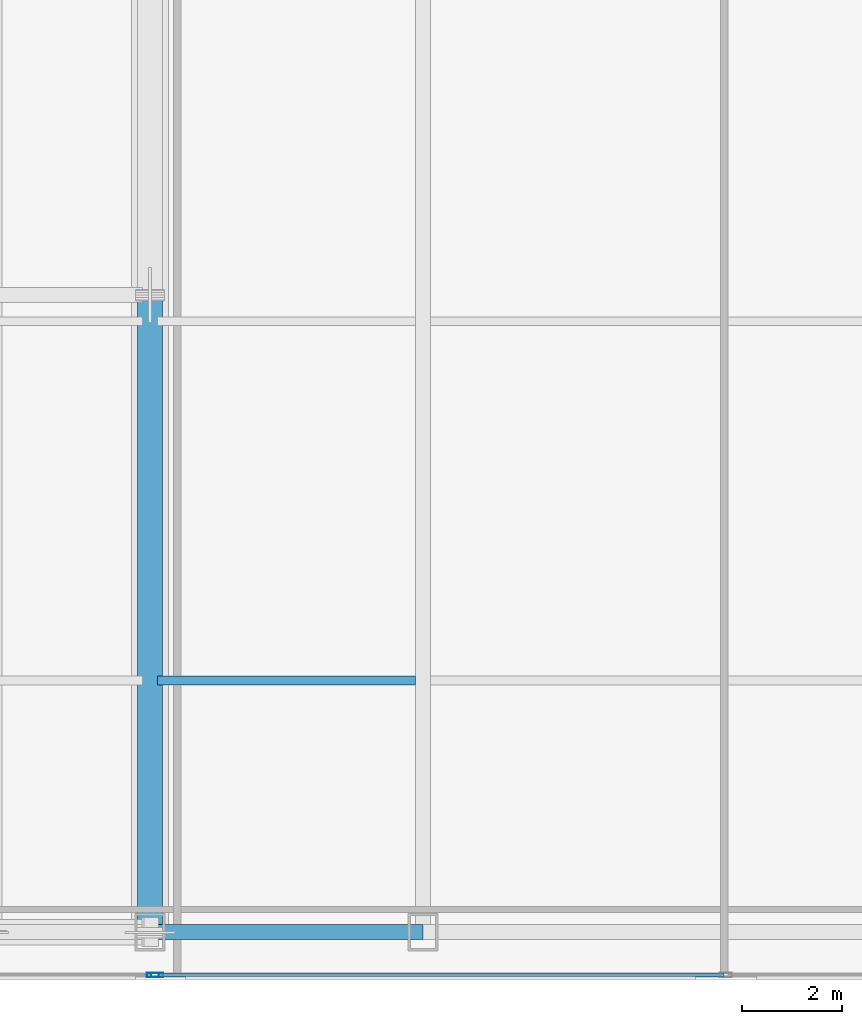
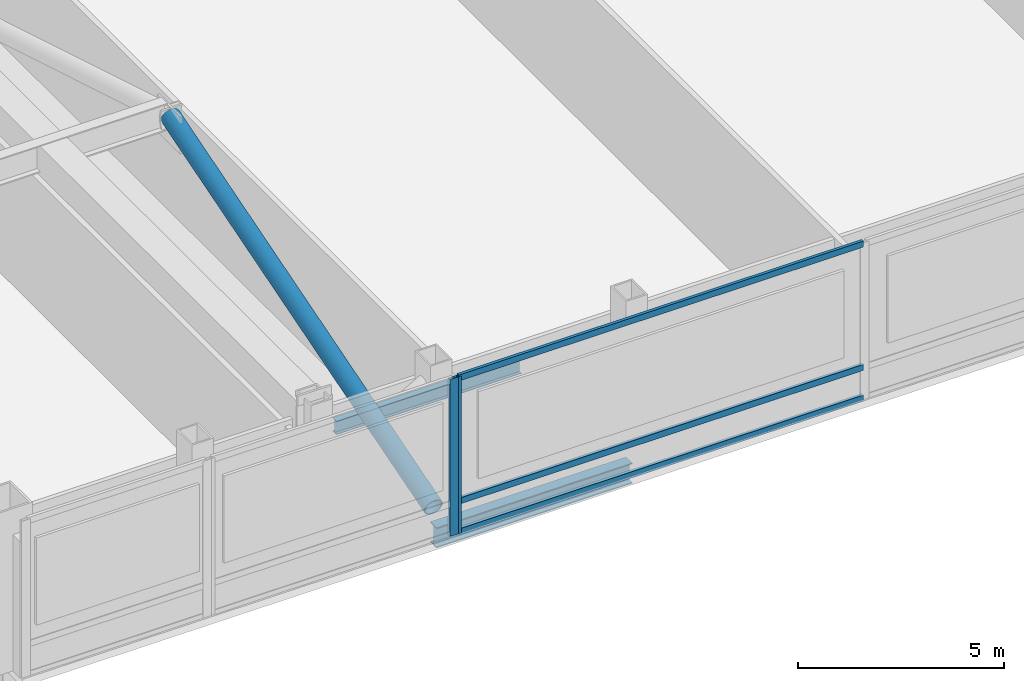
# One storey, part 9 of 32: 6 members, 2 beams, 2 elements without a shape of their own.
"""IFC4 building model written with IfcOpenShell, lengths in metres."""

import ifcopenshell
import ifcopenshell.guid

model = None  # the IFC model being written
_history = None  # IfcOwnerHistory: only IFC2X3 demands one
_inside = {}  # id of a spatial element -> (the spatial element, [elements in it])
_under = {}  # id of a project, library or spatial element -> (it, [spatial elements below it])
_declared = {}  # id of a project -> (the project, [libraries it declares])
_typed = {}  # id of a type object -> (the type object, [elements of that type])
_made_of = {}  # id of a material, layer set ... -> (it, [elements and type objects made of it])


def new_model(schema):
    """Start an empty IFC model of exactly this schema.

    Asked for "IFC4X3", IfcOpenShell would pick the latest addendum, in which some entities
    have other attributes; the version numbers below select the first issue.
    IFC2X3 requires an IfcOwnerHistory on every rooted entity: one is made here for all.
    """
    global model, _history
    if schema == "IFC4X3":
        model = ifcopenshell.file(schema_version=(4, 3, 0, 0))
    else:
        model = ifcopenshell.file(schema=schema)
    _inside.clear()
    _under.clear()
    _declared.clear()
    _typed.clear()
    _made_of.clear()
    _history = None
    if model.schema == "IFC2X3":
        org = make("IfcOrganization", Name="unknown")
        user = make(
            "IfcPersonAndOrganization",
            ThePerson=make("IfcPerson", FamilyName="unknown"),
            TheOrganization=org,
        )
        app = make(
            "IfcApplication",
            ApplicationDeveloper=org,
            Version="unknown",
            ApplicationFullName="unknown",
            ApplicationIdentifier="unknown",
        )
        _history = make(
            "IfcOwnerHistory",
            OwningUser=user,
            OwningApplication=app,
            ChangeAction="ADDED",
            CreationDate=0,
        )
    return model


def make(cls, **values):
    """One entity of the class cls with the attributes given. An attribute that is None is left unset."""
    return model.create_entity(
        cls, **{name: value for name, value in values.items() if value is not None}
    )


def rooted(cls, **values):
    """An entity with a GlobalId (a new one), such as an element, a storey or a relation."""
    return make(cls, GlobalId=ifcopenshell.guid.new(), OwnerHistory=_history, **values)


def si_unit(unit_type, name, prefix=None):
    """IfcSIUnit, for example si_unit("LENGTHUNIT", "METRE", prefix="MILLI")."""
    return make("IfcSIUnit", UnitType=unit_type, Prefix=prefix, Name=name)


def assignment(units):
    """IfcUnitAssignment: the units of a project."""
    return None if units is None else make("IfcUnitAssignment", Units=units)


def point(xyz):
    """IfcCartesianPoint."""
    return None if xyz is None else make("IfcCartesianPoint", Coordinates=xyz)


def direction(xyz):
    """IfcDirection."""
    return None if xyz is None else make("IfcDirection", DirectionRatios=xyz)


def frame(location, z_axis=None, x_axis=None):
    """IfcAxis2Placement3D, a coordinate frame: its origin and axes. An axis left out is left unset."""
    return make(
        "IfcAxis2Placement3D",
        Location=point(location),
        Axis=direction(z_axis),
        RefDirection=direction(x_axis),
    )


def frame_2d(location, x_axis=None):
    """IfcAxis2Placement2D, a coordinate frame in the plane: its origin and x axis."""
    return make(
        "IfcAxis2Placement2D", Location=point(location), RefDirection=direction(x_axis)
    )


def origin():
    """The frame at (0, 0, 0) with its axes left unset."""
    return frame((0.0, 0.0, 0.0))


def origin_2d():
    """The frame at (0, 0) in the plane with its x axis left unset."""
    return frame_2d((0.0, 0.0))


def place(relative_to, where):
    """IfcLocalPlacement: puts the frame where relative to a parent placement (None: the world)."""
    return make(
        "IfcLocalPlacement", PlacementRelTo=relative_to, RelativePlacement=where
    )


def context(
    kind, dimensions, precision=None, world=None, true_north=None, identifier=None
):
    """IfcGeometricRepresentationContext, for example the 3D "Model" context."""
    return make(
        "IfcGeometricRepresentationContext",
        ContextIdentifier=identifier,
        ContextType=kind,
        CoordinateSpaceDimension=dimensions,
        Precision=precision,
        WorldCoordinateSystem=world,
        TrueNorth=true_north,
    )


def subcontext(parent, identifier, kind, view, scale=None):
    """IfcGeometricRepresentationSubContext, for example "Body" below "Model"."""
    return make(
        "IfcGeometricRepresentationSubContext",
        ContextIdentifier=identifier,
        ContextType=kind,
        ParentContext=parent,
        TargetScale=scale,
        TargetView=view,
    )


def project(units=None, contexts=None):
    """IfcProject with its units and contexts."""
    return rooted(
        "IfcProject",
        Name="project",
        RepresentationContexts=contexts,
        UnitsInContext=assignment(units),
    )


def spatial(cls, under=None, at=None, **own):
    """A site, building, storey or space (cls), placed at a placement, below another one or the project."""
    s = rooted(cls, ObjectPlacement=at, **own)
    if under is not None:
        _under.setdefault(under.id(), (under, []))[1].append(s)
    return s


def profile(cls, at=None, kind="AREA", **sizes):
    """A parametric profile (cls). Its sizes go by their IFC names, for example OverallWidth=200.0."""
    return make(cls, ProfileType=kind, Position=at, **sizes)


def hollow_rectangle(**sizes):
    """IfcRectangleHollowProfileDef."""
    return profile("IfcRectangleHollowProfileDef", **sizes)


def hollow_circle(**sizes):
    """IfcCircleHollowProfileDef."""
    return profile("IfcCircleHollowProfileDef", **sizes)


def i_section(**sizes):
    """IfcIShapeProfileDef."""
    return profile("IfcIShapeProfileDef", **sizes)


def extrude(swept, where, along, depth):
    """IfcExtrudedAreaSolid: the profile swept, set in the frame where, extruded along a direction by depth."""
    return make(
        "IfcExtrudedAreaSolid",
        SweptArea=swept,
        Position=where,
        ExtrudedDirection=direction(along),
        Depth=depth,
    )


def shape(context_of_items, identifier, shape_type, items):
    """IfcShapeRepresentation: the items that make up one representation, for example the "Body"."""
    return make(
        "IfcShapeRepresentation",
        ContextOfItems=context_of_items,
        RepresentationIdentifier=identifier,
        RepresentationType=shape_type,
        Items=items,
    )


def material(Name=None, Category=None):
    """IfcMaterial."""
    return make("IfcMaterial", Name=Name, Category=Category)


def material_profile(
    of_material, cross_section, Name=None, Category=None, Priority=None
):
    """IfcMaterialProfile: a cross section and its material."""
    return make(
        "IfcMaterialProfile",
        Name=Name,
        Material=of_material,
        Profile=cross_section,
        Priority=Priority,
        Category=Category,
    )


def profile_set(profiles, Name=None, composite=None):
    """IfcMaterialProfileSet."""
    return make(
        "IfcMaterialProfileSet",
        Name=Name,
        MaterialProfiles=profiles,
        CompositeProfile=composite,
    )


def made_of(thing, what):
    """Note that an element or type object is made of a material, layer set ...; save() writes the relation."""
    if what is not None:
        _made_of.setdefault(what.id(), (what, []))[1].append(thing)
    return thing


def type_object(cls, material=None, **own):
    """A type object (cls), such as IfcWallType, which elements share."""
    return made_of(rooted(cls, **own), material)


def element(
    cls,
    number,
    at=None,
    inside=None,
    cuts=None,
    type_object=None,
    material=None,
    context=None,
    identifier="Body",
    shape_type=None,
    held_by="IfcProductDefinitionShape",
    body=None,
    shapes=None,
    **own,
):
    """One element of the class cls, such as IfcWall. Its Tag is "e" and its number.

    at: its placement. inside: the storey or other place that contains it. cuts: it is an
    opening in that element (IfcRelVoidsElement). A single representation is given by context,
    identifier, shape_type and body (its items); several are given by shapes. held_by: the class
    of the entity that holds the representations. save() writes the other relations.
    """
    e = rooted(cls, Tag="e%d" % number, ObjectPlacement=at, **own)
    if body is not None:
        shapes = [shape(context, identifier, shape_type, body)]
    if shapes is not None:
        e.Representation = make(held_by, Representations=shapes)
    if inside is not None:
        _inside.setdefault(inside.id(), (inside, []))[1].append(e)
    if cuts is not None:
        rooted(
            "IfcRelVoidsElement", RelatingBuildingElement=cuts, RelatedOpeningElement=e
        )
    if type_object is not None:
        _typed.setdefault(type_object.id(), (type_object, []))[1].append(e)
    return made_of(e, material)


def aggregate(whole, parts):
    """IfcRelAggregates: a whole, such as a stair, and the parts it consists of."""
    return rooted("IfcRelAggregates", RelatingObject=whole, RelatedObjects=parts)


def save(model, path):
    """Write the relations noted so far, then the file.

    IfcRelAggregates (storeys below a building ...), IfcRelContainedInSpatialStructure (elements
    in a storey), IfcRelDefinesByType, IfcRelAssociatesMaterial and IfcRelDeclares: one each for
    every whole, place, type object, material and project.
    """
    for whole, parts in _under.values():
        aggregate(whole, parts)
    for where, things in _inside.values():
        rooted(
            "IfcRelContainedInSpatialStructure",
            RelatedElements=things,
            RelatingStructure=where,
        )
    for kind, things in _typed.values():
        rooted("IfcRelDefinesByType", RelatedObjects=things, RelatingType=kind)
    for what, things in _made_of.values():
        rooted("IfcRelAssociatesMaterial", RelatedObjects=things, RelatingMaterial=what)
    for by, libraries in _declared.values():
        rooted("IfcRelDeclares", RelatingContext=by, RelatedDefinitions=libraries)
    model.write(path)


model = new_model("IFC4")

# Units and contexts
model_context = context("Model", 3, precision=1e-05, world=origin(), true_north=direction((0.0, 1.0)))
body_context = subcontext(model_context, "Body", "Model", "MODEL_VIEW")
ifc_project = project(units=[si_unit("LENGTHUNIT", "METRE"), si_unit("AREAUNIT", "SQUARE_METRE"), si_unit("VOLUMEUNIT", "CUBIC_METRE"), si_unit("PLANEANGLEUNIT", "RADIAN"), si_unit("MASSUNIT", "GRAM", prefix="KILO")], contexts=[model_context])

# Site, building, storey
site_placement = place(None, origin())
site = spatial("IfcSite", under=ifc_project, at=site_placement, CompositionType="ELEMENT")
building_placement = place(site_placement, origin())
building = spatial("IfcBuilding", under=site, at=building_placement, Name="Khoronbel Lancet Exchange", CompositionType="ELEMENT")
storey_placement = place(building_placement, frame((0.0, 0.0, 257.0)))
storey = spatial("IfcBuildingStorey", under=building, at=storey_placement, Name="L66", CompositionType="ELEMENT", Elevation=257.0)

# Beams
ifc_material_1 = material(Name="Steel S355", Category="steel")
ifc_material_profile_1 = material_profile(ifc_material_1, i_section(OverallWidth=0.179931640625, OverallDepth=0.39990234375, WebThickness=0.008544921875, FlangeThickness=0.013427734375, at=origin_2d()), Name="IPE 400")
ifc_profile_set_1 = profile_set([ifc_material_profile_1], Name="Steel S355")
beam_type_1 = type_object("IfcBeamType", Name="BM-BJ5", PredefinedType="JOIST", material=ifc_profile_set_1)
beam_1_placement = place(storey_placement, frame((25.050048828125, 15.199951171875, -0.419921875), z_axis=(1.0, 0.0, 0.0), x_axis=(0.0, 1.0, 0.0)))
element("IfcBeam", 1, at=beam_1_placement, inside=storey, type_object=beam_type_1, Name="Level L66 secondary composite joist J02", PredefinedType="JOIST", context=body_context, shape_type="SweptSolid", body=[
    extrude(i_section(OverallWidth=0.179931640625, OverallDepth=0.39990234375, WebThickness=0.008544921875, FlangeThickness=0.013427734375, at=origin_2d()), origin(), (0.0, 0.0, 1.0), 5.175048828125),
])
ifc_material_profile_2 = material_profile(ifc_material_1, i_section(OverallWidth=0.300048828125, OverallDepth=0.60009765625, WebThickness=0.015380859375, FlangeThickness=0.030029296875, at=origin_2d()), Name="HEB 600")
ifc_profile_set_2 = profile_set([ifc_material_profile_2], Name="Steel S355")
beam_type_2 = type_object("IfcBeamType", Name="BM-BSP2", PredefinedType="SPANDREL", material=ifc_profile_set_2)
beam_2_placement = place(storey_placement, frame((24.89990234375, 10.14990234375, -0.52001953125), z_axis=(1.0, 0.0, 0.0), x_axis=(0.0, 1.0, 0.0)))
element("IfcBeam", 2, at=beam_2_placement, inside=storey, type_object=beam_type_2, Name="Level L66 perimeter spandrel beam SP04", PredefinedType="SPANDREL", context=body_context, shape_type="SweptSolid", body=[
    extrude(i_section(OverallWidth=0.300048828125, OverallDepth=0.60009765625, WebThickness=0.015380859375, FlangeThickness=0.030029296875, at=origin_2d()), origin(), (0.0, 0.0, 1.0), 5.47509765625),
])

# Curtain wall, member
ifc_material_2 = material(Name="Low-E Solar Control Insulating Glass", Category="glass")
curtain_wall_type = type_object("IfcCurtainWallType", Name="CW-3", PredefinedType="NOTDEFINED", material=ifc_material_2)
curtain_wall_1_placement = place(storey_placement, origin())
curtain_wall_1 = element("IfcCurtainWall", 3, at=curtain_wall_1_placement, inside=storey, type_object=curtain_wall_type, Name="Unitised curtain wall CW-L66-SWB", PredefinedType="NOTDEFINED")
ifc_material_3 = material(Name="Bronze-Anodised Aluminium 6063-T6", Category="aluminium")
ifc_material_profile_3 = material_profile(ifc_material_3, hollow_rectangle(XDim=0.0849609375, YDim=0.239990234375, WallThickness=0.006103515625, at=origin_2d()), Name="ALU MULLION 85x240")
ifc_profile_set_3 = profile_set([ifc_material_profile_3], Name="Bronze-Anodised Aluminium 6063-T6")
member_type_1 = type_object("IfcMemberType", Name="MEM-CWM1", PredefinedType="MULLION", material=ifc_profile_set_3)
member_1_placement = place(storey_placement, frame((24.95751953125, 9.2900390625, 0.0), z_axis=(0.0, 0.0, 1.0), x_axis=(0.0, 1.0, 0.0)))
member_1 = element("IfcMember", 4, at=member_1_placement, type_object=member_type_1, Name="CW3 mullion 2", PredefinedType="MULLION", context=body_context, shape_type="SweptSolid", body=[
    extrude(hollow_rectangle(XDim=0.0849609375, YDim=0.239990234375, WallThickness=0.006103515625, at=origin_2d()), origin(), (0.0, 0.0, 1.0), 4.639892578125),
])
aggregate(curtain_wall_1, [member_1])

# Curtain wall, members
curtain_wall_2_placement = place(storey_placement, origin())
curtain_wall_2 = element("IfcCurtainWall", 5, at=curtain_wall_2_placement, inside=storey, type_object=curtain_wall_type, Name="Unitised curtain wall CW-L66-SCV", PredefinedType="NOTDEFINED")
member_2_placement = place(storey_placement, frame((25.04248046875, 9.2900390625, 0.0), z_axis=(0.0, 0.0, 1.0), x_axis=(0.0, 1.0, 0.0)))
member_2 = element("IfcMember", 6, at=member_2_placement, type_object=member_type_1, Name="CW3 mullion 1", PredefinedType="MULLION", context=body_context, shape_type="SweptSolid", body=[
    extrude(hollow_rectangle(XDim=0.0849609375, YDim=0.239990234375, WallThickness=0.006103515625, at=origin_2d()), origin(), (0.0, 0.0, 1.0), 4.639892578125),
])
ifc_material_profile_4 = material_profile(ifc_material_3, hollow_rectangle(XDim=0.0849609375, YDim=0.179931640625, WallThickness=0.0048828125, at=origin_2d()), Name="ALU TRANSOM 85x180")
ifc_profile_set_4 = profile_set([ifc_material_profile_4], Name="Bronze-Anodised Aluminium 6063-T6")
member_type_2 = type_object("IfcMemberType", Name="MEM-CWT1", PredefinedType="USERDEFINED", material=ifc_profile_set_4)
member_3_placement = place(storey_placement, frame((25.0849609375, 9.2900390625, 0.04248046875), z_axis=(1.0, 0.0, 0.0), x_axis=(0.0, 1.0, 0.0)))
member_3 = element("IfcMember", 7, at=member_3_placement, type_object=member_type_2, Name="CW3 transom 1.1", ObjectType="TRANSOM", PredefinedType="USERDEFINED", context=body_context, shape_type="SweptSolid", body=[
    extrude(hollow_rectangle(XDim=0.0849609375, YDim=0.179931640625, WallThickness=0.0048828125, at=origin_2d()), origin(), (0.0, 0.0, 1.0), 11.322509765625),
])
member_4_placement = place(storey_placement, frame((25.0849609375, 9.2900390625, 0.949951171875), z_axis=(1.0, 0.0, 0.0), x_axis=(0.0, 1.0, 0.0)))
member_4 = element("IfcMember", 8, at=member_4_placement, type_object=member_type_2, Name="CW3 transom 1.2", ObjectType="TRANSOM", PredefinedType="USERDEFINED", context=body_context, shape_type="SweptSolid", body=[
    extrude(hollow_rectangle(XDim=0.0849609375, YDim=0.179931640625, WallThickness=0.0048828125, at=origin_2d()), origin(), (0.0, 0.0, 1.0), 11.322509765625),
])
member_5_placement = place(storey_placement, frame((25.0849609375, 9.2900390625, 4.597412109375), z_axis=(1.0, 0.0, 0.0), x_axis=(0.0, 1.0, 0.0)))
member_5 = element("IfcMember", 9, at=member_5_placement, type_object=member_type_2, Name="CW3 transom 1.3", ObjectType="TRANSOM", PredefinedType="USERDEFINED", context=body_context, shape_type="SweptSolid", body=[
    extrude(hollow_rectangle(XDim=0.0849609375, YDim=0.179931640625, WallThickness=0.0048828125, at=origin_2d()), origin(), (0.0, 0.0, 1.0), 11.322509765625),
])
aggregate(curtain_wall_2, [member_2, member_3, member_4, member_5])

# Member
ifc_material_4 = material(Name="Steel S460", Category="steel")
ifc_material_profile_5 = material_profile(ifc_material_4, hollow_circle(Radius=0.25390625, WallThickness=0.02490234375, at=origin_2d()), Name="CHS 508x25")
ifc_profile_set_5 = profile_set([ifc_material_profile_5], Name="Steel S460")
member_type_3 = type_object("IfcMemberType", Name="MEM-OBR2", PredefinedType="BRACE", material=ifc_profile_set_5)
member_6_placement = place(storey_placement, frame((24.89990234375, 10.14990234375, 0.300048828125), z_axis=(0.0, 0.957675542022, 0.287849884857), x_axis=(-1.0, 0.0, 0.0)))
element("IfcMember", 10, at=member_6_placement, inside=storey, type_object=member_type_3, Name="Outrigger truss diagonal L66-2-1", PredefinedType="BRACE", context=body_context, shape_type="SweptSolid", body=[
    extrude(hollow_circle(Radius=0.25390625, WallThickness=0.02490234375, at=origin_2d()), origin(), (0.0, 0.0, 1.0), 13.33984375),
])

save(model, "model.ifc")
